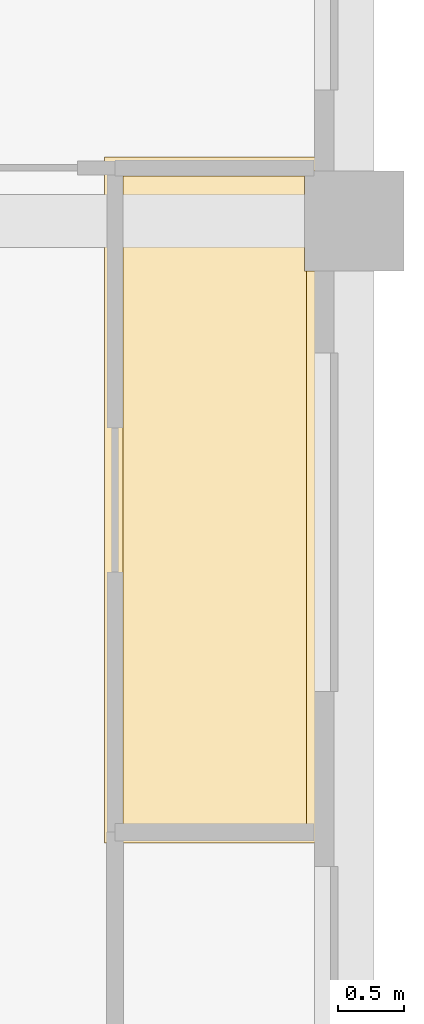
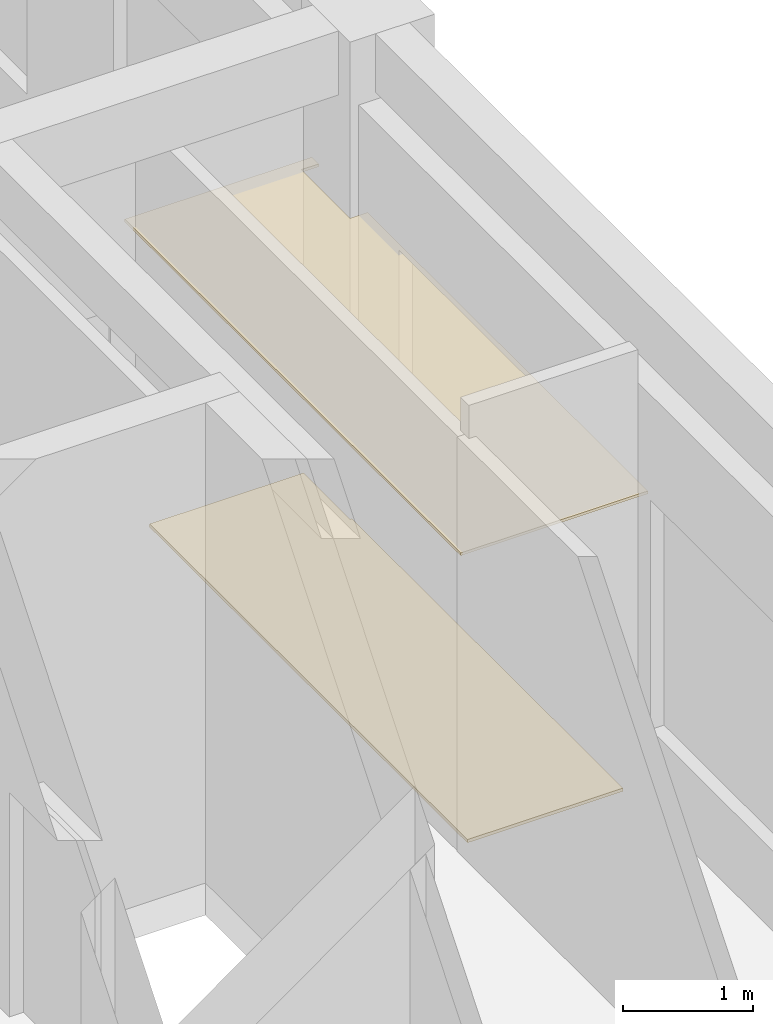
# One storey, part 25 of 25: 2 coverings.
"""IFC4 building model written with IfcOpenShell, lengths in metres."""

from ifc_helpers import new_model, si_unit, direction, frame, origin, place, context, subcontext, project, spatial, polyline, outline, extrude, material, layer, layer_set, type_object, element, save


model = new_model("IFC4")

# Units and contexts
model_context = context("Model", 3, precision=1e-05, world=origin(), true_north=direction((0.0, 1.0)))
body_context = subcontext(model_context, "Body", "Model", "MODEL_VIEW")
ifc_project = project(units=[si_unit("LENGTHUNIT", "METRE"), si_unit("AREAUNIT", "SQUARE_METRE"), si_unit("VOLUMEUNIT", "CUBIC_METRE"), si_unit("PLANEANGLEUNIT", "RADIAN"), si_unit("MASSUNIT", "GRAM", prefix="KILO")], contexts=[model_context])

# Site, building, storey
site_placement = place(None, origin())
site = spatial("IfcSite", under=ifc_project, at=site_placement, CompositionType="ELEMENT")
building_placement = place(site_placement, origin())
building = spatial("IfcBuilding", under=site, at=building_placement, Name="Kolvaren Faculty of Natural Sciences", CompositionType="ELEMENT")
storey_placement = place(building_placement, frame((0.0, 0.0, 19.5)))
storey = spatial("IfcBuildingStorey", under=building, at=storey_placement, Name="L04", CompositionType="ELEMENT", Elevation=19.5)

# Coverings
ifc_material_1 = material(Name="Perforated mineral-fibre acoustic suspended ceiling tile")
ifc_layer_1 = layer(ifc_material_1, 0.02490234375)
ifc_layer_set_1 = layer_set([ifc_layer_1], Name="Perforated mineral-fibre acoustic suspended ceiling tile")
covering_type_1 = type_object("IfcCoveringType", Name="AcousticSuspendedCeiling_25", PredefinedType="CEILING", material=ifc_layer_set_1)
covering_1_placement = place(storey_placement, frame((0.0, 0.0, 2.824951171875)))
element("IfcCovering", 1, at=covering_1_placement, inside=storey, type_object=covering_type_1, Name="L04 L04 Postgraduate Write-Up Room acoustic ceiling", PredefinedType="CEILING", context=body_context, shape_type="SweptSolid", body=[
    extrude(outline(polyline([(171.780029296875, 76.175048828125), (171.625, 76.175048828125), (171.625, 75.425048828125), (171.780029296875, 75.425048828125), (171.780029296875, 71.1201171875), (170.1201171875, 71.1201171875), (170.1201171875, 76.280029296875), (171.780029296875, 76.280029296875), (171.780029296875, 76.175048828125)])), origin(), (0.0, 0.0, 1.0), 0.025146484375),
])
ifc_material_2 = material(Name="Polished Uruguayan grey granite terrazzo flooring", Category="masonry")
ifc_layer_2 = layer(ifc_material_2, 0.030029296875)
ifc_layer_set_2 = layer_set([ifc_layer_2], Name="Polished Uruguayan grey granite terrazzo flooring")
covering_type_2 = type_object("IfcCoveringType", Name="TerrazzoFloorFinish_30", PredefinedType="FLOORING", material=ifc_layer_set_2)
covering_2_placement = place(storey_placement, origin())
element("IfcCovering", 2, at=covering_2_placement, inside=storey, type_object=covering_type_2, Name="L04 L04 Postgraduate Write-Up Room floor finish", PredefinedType="FLOORING", context=body_context, shape_type="SweptSolid", body=[
    extrude(outline(polyline([(171.625, 76.139892578125), (171.625, 75.425048828125), (171.639892578125, 75.425048828125), (171.639892578125, 71.260009765625), (170.260009765625, 71.260009765625), (170.260009765625, 76.139892578125), (171.625, 76.139892578125)])), origin(), (0.0, 0.0, 1.0), 0.030029296875),
])

save(model, "model.ifc")
